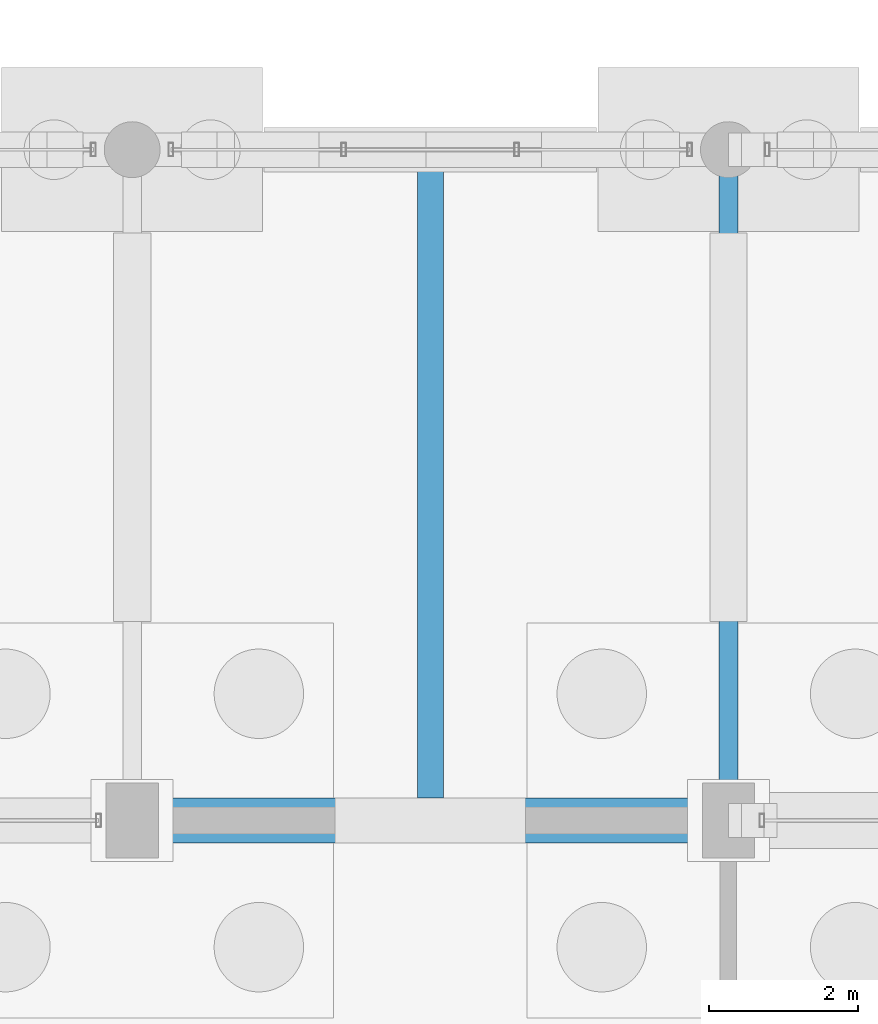
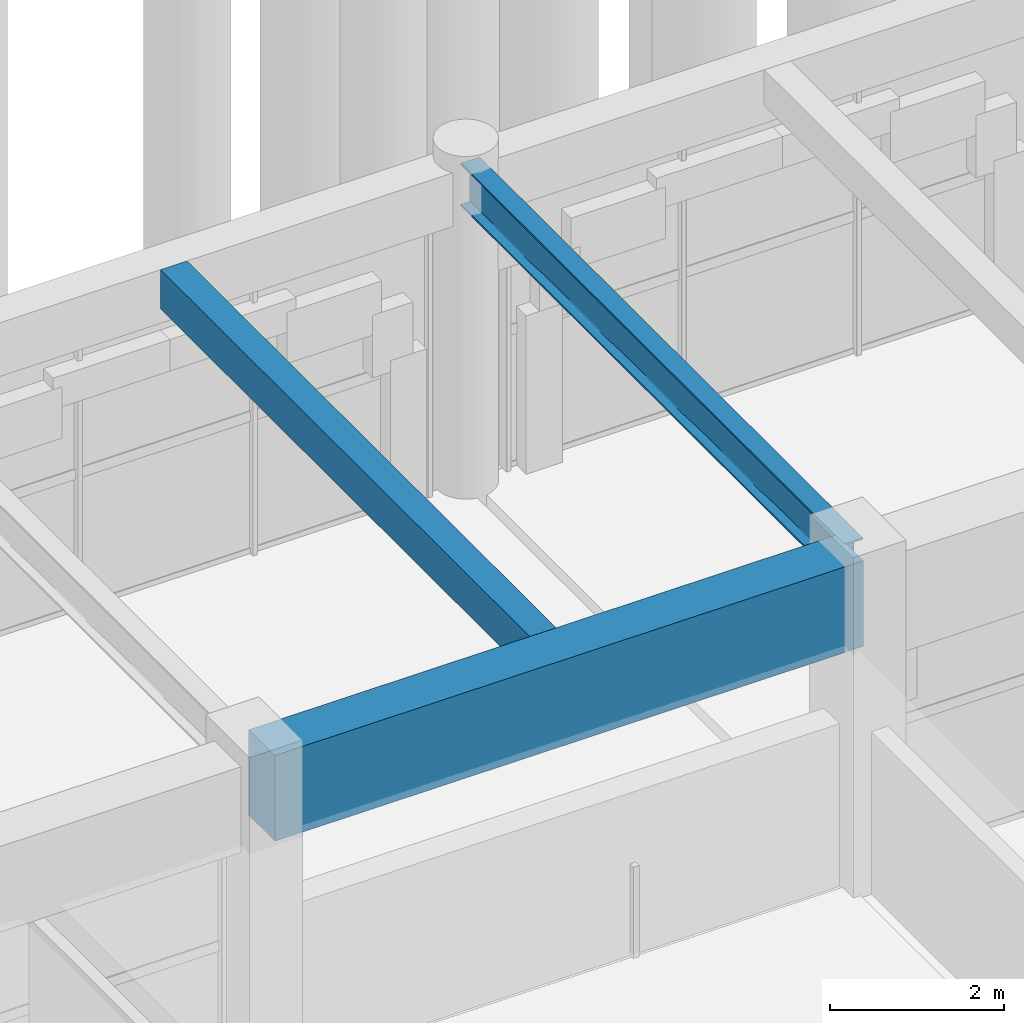
# One storey, part 57 of 147: 3 beams.
"""IFC4 building model written with IfcOpenShell, lengths in metres."""

import ifcopenshell
import ifcopenshell.guid

model = None  # the IFC model being written
_history = None  # IfcOwnerHistory: only IFC2X3 demands one
_inside = {}  # id of a spatial element -> (the spatial element, [elements in it])
_under = {}  # id of a project, library or spatial element -> (it, [spatial elements below it])
_declared = {}  # id of a project -> (the project, [libraries it declares])
_typed = {}  # id of a type object -> (the type object, [elements of that type])
_made_of = {}  # id of a material, layer set ... -> (it, [elements and type objects made of it])


def new_model(schema):
    """Start an empty IFC model of exactly this schema.

    Asked for "IFC4X3", IfcOpenShell would pick the latest addendum, in which some entities
    have other attributes; the version numbers below select the first issue.
    IFC2X3 requires an IfcOwnerHistory on every rooted entity: one is made here for all.
    """
    global model, _history
    if schema == "IFC4X3":
        model = ifcopenshell.file(schema_version=(4, 3, 0, 0))
    else:
        model = ifcopenshell.file(schema=schema)
    _inside.clear()
    _under.clear()
    _declared.clear()
    _typed.clear()
    _made_of.clear()
    _history = None
    if model.schema == "IFC2X3":
        org = make("IfcOrganization", Name="unknown")
        user = make(
            "IfcPersonAndOrganization",
            ThePerson=make("IfcPerson", FamilyName="unknown"),
            TheOrganization=org,
        )
        app = make(
            "IfcApplication",
            ApplicationDeveloper=org,
            Version="unknown",
            ApplicationFullName="unknown",
            ApplicationIdentifier="unknown",
        )
        _history = make(
            "IfcOwnerHistory",
            OwningUser=user,
            OwningApplication=app,
            ChangeAction="ADDED",
            CreationDate=0,
        )
    return model


def make(cls, **values):
    """One entity of the class cls with the attributes given. An attribute that is None is left unset."""
    return model.create_entity(
        cls, **{name: value for name, value in values.items() if value is not None}
    )


def rooted(cls, **values):
    """An entity with a GlobalId (a new one), such as an element, a storey or a relation."""
    return make(cls, GlobalId=ifcopenshell.guid.new(), OwnerHistory=_history, **values)


def si_unit(unit_type, name, prefix=None):
    """IfcSIUnit, for example si_unit("LENGTHUNIT", "METRE", prefix="MILLI")."""
    return make("IfcSIUnit", UnitType=unit_type, Prefix=prefix, Name=name)


def assignment(units):
    """IfcUnitAssignment: the units of a project."""
    return None if units is None else make("IfcUnitAssignment", Units=units)


def point(xyz):
    """IfcCartesianPoint."""
    return None if xyz is None else make("IfcCartesianPoint", Coordinates=xyz)


def direction(xyz):
    """IfcDirection."""
    return None if xyz is None else make("IfcDirection", DirectionRatios=xyz)


def frame(location, z_axis=None, x_axis=None):
    """IfcAxis2Placement3D, a coordinate frame: its origin and axes. An axis left out is left unset."""
    return make(
        "IfcAxis2Placement3D",
        Location=point(location),
        Axis=direction(z_axis),
        RefDirection=direction(x_axis),
    )


def frame_2d(location, x_axis=None):
    """IfcAxis2Placement2D, a coordinate frame in the plane: its origin and x axis."""
    return make(
        "IfcAxis2Placement2D", Location=point(location), RefDirection=direction(x_axis)
    )


def origin():
    """The frame at (0, 0, 0) with its axes left unset."""
    return frame((0.0, 0.0, 0.0))


def origin_2d():
    """The frame at (0, 0) in the plane with its x axis left unset."""
    return frame_2d((0.0, 0.0))


def place(relative_to, where):
    """IfcLocalPlacement: puts the frame where relative to a parent placement (None: the world)."""
    return make(
        "IfcLocalPlacement", PlacementRelTo=relative_to, RelativePlacement=where
    )


def context(
    kind, dimensions, precision=None, world=None, true_north=None, identifier=None
):
    """IfcGeometricRepresentationContext, for example the 3D "Model" context."""
    return make(
        "IfcGeometricRepresentationContext",
        ContextIdentifier=identifier,
        ContextType=kind,
        CoordinateSpaceDimension=dimensions,
        Precision=precision,
        WorldCoordinateSystem=world,
        TrueNorth=true_north,
    )


def subcontext(parent, identifier, kind, view, scale=None):
    """IfcGeometricRepresentationSubContext, for example "Body" below "Model"."""
    return make(
        "IfcGeometricRepresentationSubContext",
        ContextIdentifier=identifier,
        ContextType=kind,
        ParentContext=parent,
        TargetScale=scale,
        TargetView=view,
    )


def project(units=None, contexts=None):
    """IfcProject with its units and contexts."""
    return rooted(
        "IfcProject",
        Name="project",
        RepresentationContexts=contexts,
        UnitsInContext=assignment(units),
    )


def spatial(cls, under=None, at=None, **own):
    """A site, building, storey or space (cls), placed at a placement, below another one or the project."""
    s = rooted(cls, ObjectPlacement=at, **own)
    if under is not None:
        _under.setdefault(under.id(), (under, []))[1].append(s)
    return s


def profile(cls, at=None, kind="AREA", **sizes):
    """A parametric profile (cls). Its sizes go by their IFC names, for example OverallWidth=200.0."""
    return make(cls, ProfileType=kind, Position=at, **sizes)


def rectangle(**sizes):
    """IfcRectangleProfileDef."""
    return profile("IfcRectangleProfileDef", **sizes)


def i_section(**sizes):
    """IfcIShapeProfileDef."""
    return profile("IfcIShapeProfileDef", **sizes)


def extrude(swept, where, along, depth):
    """IfcExtrudedAreaSolid: the profile swept, set in the frame where, extruded along a direction by depth."""
    return make(
        "IfcExtrudedAreaSolid",
        SweptArea=swept,
        Position=where,
        ExtrudedDirection=direction(along),
        Depth=depth,
    )


def shape(context_of_items, identifier, shape_type, items):
    """IfcShapeRepresentation: the items that make up one representation, for example the "Body"."""
    return make(
        "IfcShapeRepresentation",
        ContextOfItems=context_of_items,
        RepresentationIdentifier=identifier,
        RepresentationType=shape_type,
        Items=items,
    )


def material(Name=None, Category=None):
    """IfcMaterial."""
    return make("IfcMaterial", Name=Name, Category=Category)


def material_profile(
    of_material, cross_section, Name=None, Category=None, Priority=None
):
    """IfcMaterialProfile: a cross section and its material."""
    return make(
        "IfcMaterialProfile",
        Name=Name,
        Material=of_material,
        Profile=cross_section,
        Priority=Priority,
        Category=Category,
    )


def profile_set(profiles, Name=None, composite=None):
    """IfcMaterialProfileSet."""
    return make(
        "IfcMaterialProfileSet",
        Name=Name,
        MaterialProfiles=profiles,
        CompositeProfile=composite,
    )


def made_of(thing, what):
    """Note that an element or type object is made of a material, layer set ...; save() writes the relation."""
    if what is not None:
        _made_of.setdefault(what.id(), (what, []))[1].append(thing)
    return thing


def type_object(cls, material=None, **own):
    """A type object (cls), such as IfcWallType, which elements share."""
    return made_of(rooted(cls, **own), material)


def element(
    cls,
    number,
    at=None,
    inside=None,
    cuts=None,
    type_object=None,
    material=None,
    context=None,
    identifier="Body",
    shape_type=None,
    held_by="IfcProductDefinitionShape",
    body=None,
    shapes=None,
    **own,
):
    """One element of the class cls, such as IfcWall. Its Tag is "e" and its number.

    at: its placement. inside: the storey or other place that contains it. cuts: it is an
    opening in that element (IfcRelVoidsElement). A single representation is given by context,
    identifier, shape_type and body (its items); several are given by shapes. held_by: the class
    of the entity that holds the representations. save() writes the other relations.
    """
    e = rooted(cls, Tag="e%d" % number, ObjectPlacement=at, **own)
    if body is not None:
        shapes = [shape(context, identifier, shape_type, body)]
    if shapes is not None:
        e.Representation = make(held_by, Representations=shapes)
    if inside is not None:
        _inside.setdefault(inside.id(), (inside, []))[1].append(e)
    if cuts is not None:
        rooted(
            "IfcRelVoidsElement", RelatingBuildingElement=cuts, RelatedOpeningElement=e
        )
    if type_object is not None:
        _typed.setdefault(type_object.id(), (type_object, []))[1].append(e)
    return made_of(e, material)


def aggregate(whole, parts):
    """IfcRelAggregates: a whole, such as a stair, and the parts it consists of."""
    return rooted("IfcRelAggregates", RelatingObject=whole, RelatedObjects=parts)


def save(model, path):
    """Write the relations noted so far, then the file.

    IfcRelAggregates (storeys below a building ...), IfcRelContainedInSpatialStructure (elements
    in a storey), IfcRelDefinesByType, IfcRelAssociatesMaterial and IfcRelDeclares: one each for
    every whole, place, type object, material and project.
    """
    for whole, parts in _under.values():
        aggregate(whole, parts)
    for where, things in _inside.values():
        rooted(
            "IfcRelContainedInSpatialStructure",
            RelatedElements=things,
            RelatingStructure=where,
        )
    for kind, things in _typed.values():
        rooted("IfcRelDefinesByType", RelatedObjects=things, RelatingType=kind)
    for what, things in _made_of.values():
        rooted("IfcRelAssociatesMaterial", RelatedObjects=things, RelatingMaterial=what)
    for by, libraries in _declared.values():
        rooted("IfcRelDeclares", RelatingContext=by, RelatedDefinitions=libraries)
    model.write(path)


model = new_model("IFC4")

# Units and contexts
model_context = context("Model", 3, precision=1e-05, world=origin(), true_north=direction((0.0, 1.0)))
body_context = subcontext(model_context, "Body", "Model", "MODEL_VIEW")
ifc_project = project(units=[si_unit("LENGTHUNIT", "METRE"), si_unit("AREAUNIT", "SQUARE_METRE"), si_unit("VOLUMEUNIT", "CUBIC_METRE"), si_unit("PLANEANGLEUNIT", "RADIAN"), si_unit("MASSUNIT", "GRAM", prefix="KILO")], contexts=[model_context])

# Site, building, storey
site_placement = place(None, origin())
site = spatial("IfcSite", under=ifc_project, at=site_placement, CompositionType="ELEMENT")
building_placement = place(site_placement, origin())
building = spatial("IfcBuilding", under=site, at=building_placement, Name="Varnabhumi Central Station", CompositionType="ELEMENT")
storey_placement = place(building_placement, origin())
storey = spatial("IfcBuildingStorey", under=building, at=storey_placement, Name="L00", CompositionType="ELEMENT", Elevation=0.0)

# Beams
ifc_material_1 = material(Name="Concrete M50", Category="concrete")
ifc_material_profile_1 = material_profile(ifc_material_1, rectangle(XDim=0.60009765625, YDim=1.199951171875, at=origin_2d()), Name="Concrete M50", Category="concrete")
ifc_profile_set_1 = profile_set([ifc_material_profile_1], Name="Concrete M50")
beam_type_1 = type_object("IfcBeamType", Name="BM-RC-1200x600", PredefinedType="BEAM", material=ifc_profile_set_1)
beam_1_placement = place(storey_placement, frame((56.10009765625, 80.0, 3.949951171875), z_axis=(1.0, 0.0, 0.0), x_axis=(0.0, 1.0, 0.0)))
element("IfcBeam", 1, at=beam_1_placement, inside=storey, type_object=beam_type_1, Name="Beam L00-K:8-9", PredefinedType="BEAM", context=body_context, shape_type="SweptSolid", body=[
    extrude(rectangle(XDim=0.60009765625, YDim=1.199951171875, at=origin_2d()), origin(), (0.0, 0.0, 1.0), 7.7998046875),
])
ifc_material_2 = material(Name="Concrete M40", Category="concrete")
ifc_material_profile_2 = material_profile(ifc_material_2, rectangle(XDim=0.35009765625, YDim=0.550048828125, at=origin_2d()), Name="Concrete M40", Category="concrete")
ifc_profile_set_2 = profile_set([ifc_material_profile_2], Name="Concrete M40")
beam_type_2 = type_object("IfcBeamType", Name="BM-RC-350x550", PredefinedType="JOIST", material=ifc_profile_set_2)
beam_2_placement = place(storey_placement, frame((60.0, 80.300048828125, 4.27490234375), z_axis=(0.0, 1.0, 0.0), x_axis=(-1.0, 0.0, 0.0)))
element("IfcBeam", 2, at=beam_2_placement, inside=storey, type_object=beam_type_2, Name="Secondary Joist L00-8/9:K-L", PredefinedType="JOIST", context=body_context, shape_type="SweptSolid", body=[
    extrude(rectangle(XDim=0.35009765625, YDim=0.550048828125, at=origin_2d()), origin(), (0.0, 0.0, 1.0), 8.474853515625),
])
ifc_material_3 = material(Name="Structural steel E350", Category="steel")
ifc_material_profile_3 = material_profile(ifc_material_3, i_section(OverallWidth=0.25, OverallDepth=0.60009765625, WebThickness=0.01171875, FlangeThickness=0.023681640625, FilletRadius=0.01708984375, at=origin_2d()), Name="Structural steel E350", Category="steel")
ifc_profile_set_3 = profile_set([ifc_material_profile_3], Name="Structural steel E350")
beam_type_3 = type_object("IfcBeamType", Name="BM-SEC-ISWB600", PredefinedType="BEAM", material=ifc_profile_set_3)
beam_3_placement = place(storey_placement, frame((64.0, 80.10009765625, 4.25), z_axis=(0.0, 1.0, 0.0), x_axis=(-1.0, 0.0, 0.0)))
element("IfcBeam", 3, at=beam_3_placement, inside=storey, type_object=beam_type_3, Name="Beam L00-9:K-L", PredefinedType="BEAM", context=body_context, shape_type="SweptSolid", body=[
    extrude(i_section(OverallWidth=0.25, OverallDepth=0.60009765625, WebThickness=0.01171875, FlangeThickness=0.023681640625, FilletRadius=0.01708984375, at=origin_2d()), origin(), (0.0, 0.0, 1.0), 8.7998046875),
])

save(model, "model.ifc")
